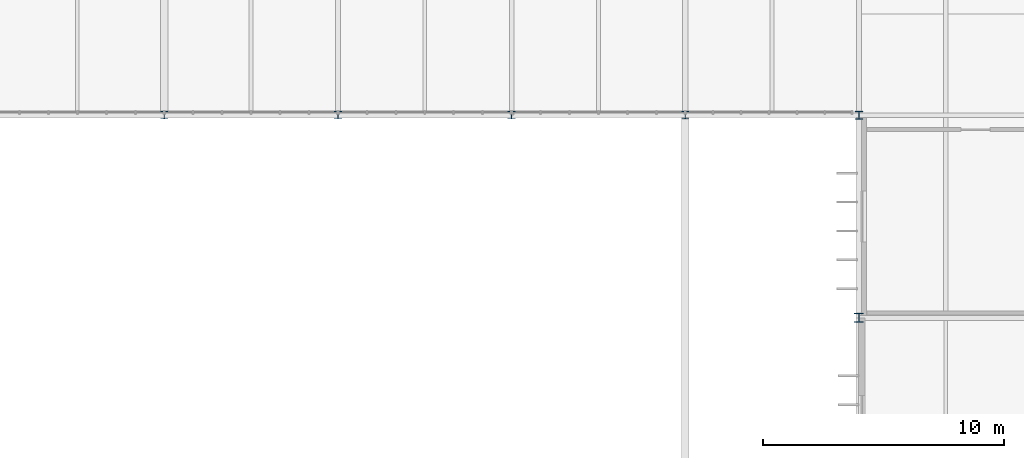
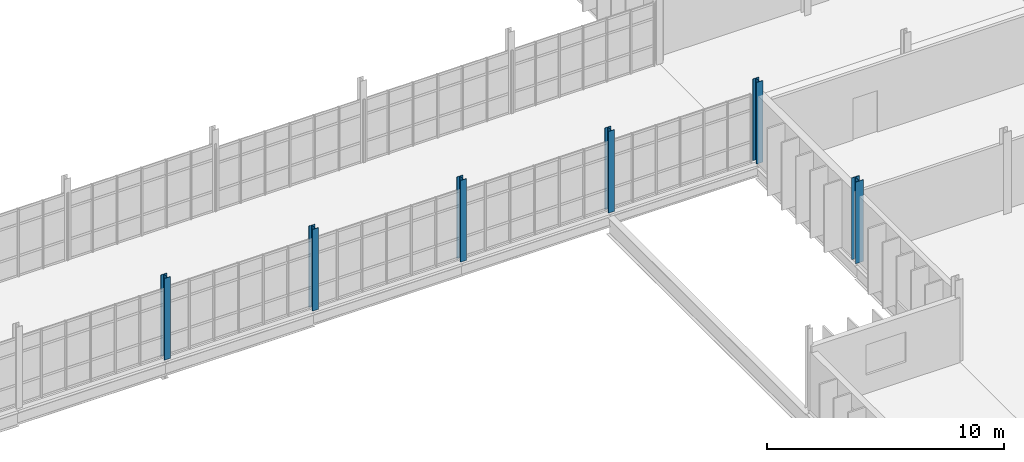
# One storey, part 11 of 119: 6 columns.
"""IFC4 building model written with IfcOpenShell, lengths in metres."""

from ifc_helpers import new_model, si_unit, direction, frame, origin, origin_2d, place, context, subcontext, project, spatial, i_section, extrude, material, material_profile, profile_set, type_object, element, save


model = new_model("IFC4")

# Units and contexts
model_context = context("Model", 3, precision=1e-05, world=origin(), true_north=direction((0.0, 1.0)))
body_context = subcontext(model_context, "Body", "Model", "MODEL_VIEW")
ifc_project = project(units=[si_unit("LENGTHUNIT", "METRE"), si_unit("AREAUNIT", "SQUARE_METRE"), si_unit("VOLUMEUNIT", "CUBIC_METRE"), si_unit("PLANEANGLEUNIT", "RADIAN"), si_unit("MASSUNIT", "GRAM", prefix="KILO")], contexts=[model_context])

# Site, building, storey
site_placement = place(None, origin())
site = spatial("IfcSite", under=ifc_project, at=site_placement, CompositionType="ELEMENT")
building_placement = place(site_placement, origin())
building = spatial("IfcBuilding", under=site, at=building_placement, Name="Qelthora Terrace Specialist Clinic", CompositionType="ELEMENT")
storey_placement = place(building_placement, frame((0.0, 0.0, 4.800048828125)))
storey = spatial("IfcBuildingStorey", under=building, at=storey_placement, Name="L01", CompositionType="ELEMENT", Elevation=4.800048828125)

# Columns
ifc_material = material(Name="Steel S355", Category="steel")
ifc_material_profile_1 = material_profile(ifc_material, i_section(OverallWidth=0.305908203125, OverallDepth=0.31103515625, WebThickness=0.010986328125, FlangeThickness=0.01708984375, FilletRadius=0.014892578125, at=origin_2d()), Name="W310X107")
ifc_profile_set_1 = profile_set([ifc_material_profile_1], Name="Steel S355")
column_type_1 = type_object("IfcColumnType", Name="COL-W310X107", PredefinedType="COLUMN", material=ifc_profile_set_1)
for number, where, z_axis, x_axis, name in (
    (1, (79.199951171875, 58.800048828125, 0.0), (0.0, 0.0, 1.0), (1.0, 0.0, 0.0), "Column L01-133"),
    (2, (86.39990234375, 58.800048828125, 0.0), (0.0, 0.0, 1.0), (1.0, 0.0, 0.0), "Column L01-142"),
):
    element("IfcColumn", number, at=place(storey_placement, frame(where, z_axis=z_axis, x_axis=x_axis)), inside=storey, type_object=column_type_1, Name=name, PredefinedType="COLUMN", context=body_context, shape_type="SweptSolid", body=[
        extrude(i_section(OverallWidth=0.305908203125, OverallDepth=0.31103515625, WebThickness=0.010986328125, FlangeThickness=0.01708984375, FilletRadius=0.014892578125, at=origin_2d()), origin(), (0.0, 0.0, 1.0), 4.199951171875),
    ])
ifc_material_profile_2 = material_profile(ifc_material, i_section(OverallWidth=0.306884765625, OverallDepth=0.31396484375, WebThickness=0.011962890625, FlangeThickness=0.018798828125, FilletRadius=0.01611328125, at=origin_2d()), Name="W310X118")
ifc_profile_set_2 = profile_set([ifc_material_profile_2], Name="Steel S355")
column_type_2 = type_object("IfcColumnType", Name="COL-W310X118", PredefinedType="COLUMN", material=ifc_profile_set_2)
column_1_placement = place(storey_placement, frame((64.800048828125, 58.800048828125, 0.0), z_axis=(0.0, 0.0, 1.0), x_axis=(1.0, 0.0, 0.0)))
element("IfcColumn", 3, at=column_1_placement, inside=storey, type_object=column_type_2, Name="Column L01-117", PredefinedType="COLUMN", context=body_context, shape_type="SweptSolid", body=[
    extrude(i_section(OverallWidth=0.306884765625, OverallDepth=0.31396484375, WebThickness=0.011962890625, FlangeThickness=0.018798828125, FilletRadius=0.01611328125, at=origin_2d()), origin(), (0.0, 0.0, 1.0), 4.199951171875),
])
ifc_material_profile_3 = material_profile(ifc_material, i_section(OverallWidth=0.30908203125, OverallDepth=0.322998046875, WebThickness=0.013916015625, FlangeThickness=0.02294921875, FilletRadius=0.01611328125, at=origin_2d()), Name="W310X143")
ifc_profile_set_3 = profile_set([ifc_material_profile_3], Name="Steel S355")
column_type_3 = type_object("IfcColumnType", Name="COL-W310X143", PredefinedType="COLUMN", material=ifc_profile_set_3)
column_2_placement = place(storey_placement, frame((93.60009765625, 58.800048828125, 0.0), z_axis=(0.0, 0.0, 1.0), x_axis=(1.0, 0.0, 0.0)))
element("IfcColumn", 4, at=column_2_placement, inside=storey, type_object=column_type_3, Name="Column L01-154", PredefinedType="COLUMN", context=body_context, shape_type="SweptSolid", body=[
    extrude(i_section(OverallWidth=0.30908203125, OverallDepth=0.322998046875, WebThickness=0.013916015625, FlangeThickness=0.02294921875, FilletRadius=0.01611328125, at=origin_2d()), origin(), (0.0, 0.0, 1.0), 4.199951171875),
])
ifc_material_profile_4 = material_profile(ifc_material, i_section(OverallWidth=0.304931640625, OverallDepth=0.30810546875, WebThickness=0.010009765625, FlangeThickness=0.015380859375, FilletRadius=0.014892578125, at=origin_2d()), Name="W310X97")
ifc_profile_set_4 = profile_set([ifc_material_profile_4], Name="Steel S355")
column_type_4 = type_object("IfcColumnType", Name="COL-W310X97", PredefinedType="COLUMN", material=ifc_profile_set_4)
column_3_placement = place(storey_placement, frame((72.0, 58.800048828125, 0.0), z_axis=(0.0, 0.0, 1.0), x_axis=(1.0, 0.0, 0.0)))
element("IfcColumn", 5, at=column_3_placement, inside=storey, type_object=column_type_4, Name="Column L01-125", PredefinedType="COLUMN", context=body_context, shape_type="SweptSolid", body=[
    extrude(i_section(OverallWidth=0.304931640625, OverallDepth=0.30810546875, WebThickness=0.010009765625, FlangeThickness=0.015380859375, FilletRadius=0.014892578125, at=origin_2d()), origin(), (0.0, 0.0, 1.0), 4.199951171875),
])
ifc_material_profile_5 = material_profile(ifc_material, i_section(OverallWidth=0.3740234375, OverallDepth=0.3720703125, WebThickness=0.016357421875, FlangeThickness=0.026123046875, FilletRadius=0.02001953125, at=origin_2d()), Name="W360X196")
ifc_profile_set_5 = profile_set([ifc_material_profile_5], Name="Steel S355")
column_type_5 = type_object("IfcColumnType", Name="COL-W360X196", PredefinedType="COLUMN", material=ifc_profile_set_5)
column_4_placement = place(storey_placement, frame((93.60009765625, 50.39990234375, 0.0), z_axis=(0.0, 0.0, 1.0), x_axis=(1.0, 0.0, 0.0)))
element("IfcColumn", 6, at=column_4_placement, inside=storey, type_object=column_type_5, Name="Column L01-153", PredefinedType="COLUMN", context=body_context, shape_type="SweptSolid", body=[
    extrude(i_section(OverallWidth=0.3740234375, OverallDepth=0.3720703125, WebThickness=0.016357421875, FlangeThickness=0.026123046875, FilletRadius=0.02001953125, at=origin_2d()), origin(), (0.0, 0.0, 1.0), 4.199951171875),
])

save(model, "model.ifc")
